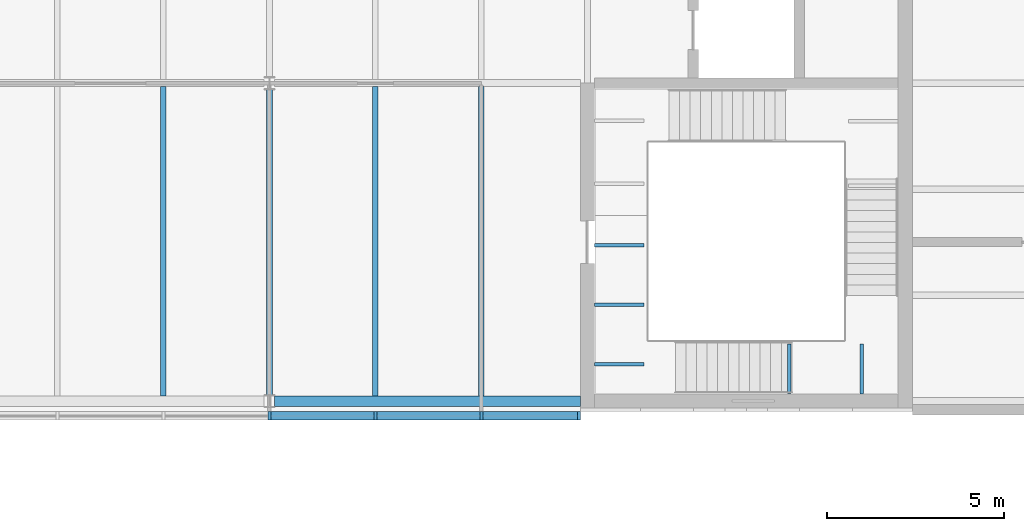
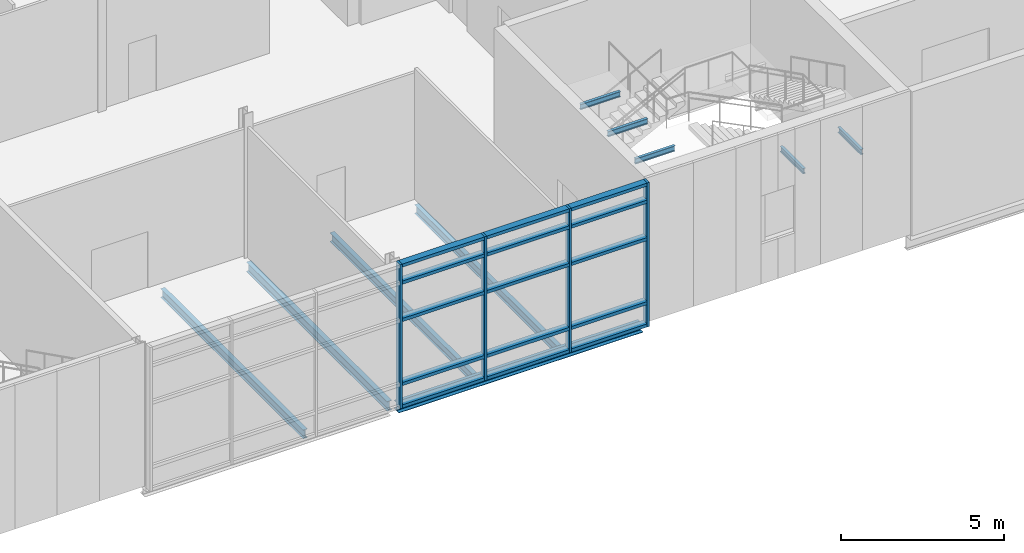
# One storey, part 14 of 52: 19 members, 10 beams, 1 element without a shape of its own.
"""IFC4 building model written with IfcOpenShell, lengths in metres."""

from ifc_helpers import new_model, si_unit, direction, frame, origin, origin_2d, place, context, subcontext, project, spatial, rectangle, i_section, extrude, material, material_profile, profile_set, type_object, element, aggregate, save


model = new_model("IFC4")

# Units and contexts
model_context = context("Model", 3, precision=1e-05, world=origin(), true_north=direction((0.0, 1.0)))
body_context = subcontext(model_context, "Body", "Model", "MODEL_VIEW")
ifc_project = project(units=[si_unit("LENGTHUNIT", "METRE"), si_unit("AREAUNIT", "SQUARE_METRE"), si_unit("VOLUMEUNIT", "CUBIC_METRE"), si_unit("PLANEANGLEUNIT", "RADIAN"), si_unit("MASSUNIT", "GRAM", prefix="KILO")], contexts=[model_context])

# Site, building, storey
site_placement = place(None, origin())
site = spatial("IfcSite", under=ifc_project, at=site_placement, CompositionType="ELEMENT")
building_placement = place(site_placement, origin())
building = spatial("IfcBuilding", under=site, at=building_placement, Name="Azimuth Sports and Learning Centre", CompositionType="ELEMENT")
storey_placement = place(building_placement, frame((0.0, 0.0, 16.199951171875)))
storey = spatial("IfcBuildingStorey", under=building, at=storey_placement, Name="L03", CompositionType="ELEMENT", Elevation=16.199951171875)

# Beams
ifc_material_1 = material(Name="Steel S355", Category="steel")
ifc_material_profile_1 = material_profile(ifc_material_1, i_section(OverallWidth=0.10009765625, OverallDepth=0.199951171875, WebThickness=0.005615234375, FlangeThickness=0.008544921875, FilletRadius=0.011962890625, at=origin_2d()), Name="IPE 200")
ifc_profile_set_1 = profile_set([ifc_material_profile_1], Name="Steel S355")
beam_type_1 = type_object("IfcBeamType", Name="Beam IPE 200", PredefinedType="BEAM", material=ifc_profile_set_1)
for number, where, z_axis, x_axis, name in (
    (1, (59.715087890625, 90.199951171875, 3.300048828125), (0.0, 1.0, 0.0), (-1.0, 0.0, 0.0), "Landing bracket W1 L03 30"),
    (2, (61.764892578125, 90.199951171875, 3.300048828125), (0.0, 1.0, 0.0), (-1.0, 0.0, 0.0), "Landing bracket W1 L03 31"),
    (3, (54.199951171875, 91.050048828125, 5.10009765625), (1.0, 0.0, 0.0), (0.0, 1.0, 0.0), "Landing bracket W1 L03 32"),
    (4, (54.199951171875, 92.72998046875, 5.10009765625), (1.0, 0.0, 0.0), (0.0, 1.0, 0.0), "Landing bracket W1 L03 33"),
    (5, (54.199951171875, 94.409912109375, 5.10009765625), (1.0, 0.0, 0.0), (0.0, 1.0, 0.0), "Landing bracket W1 L03 34"),
):
    element("IfcBeam", number, at=place(storey_placement, frame(where, z_axis=z_axis, x_axis=x_axis)), inside=storey, type_object=beam_type_1, Name=name, PredefinedType="BEAM", context=body_context, shape_type="SweptSolid", body=[
        extrude(i_section(OverallWidth=0.10009765625, OverallDepth=0.199951171875, WebThickness=0.005615234375, FlangeThickness=0.008544921875, FilletRadius=0.011962890625, at=origin_2d()), origin(), (0.0, 0.0, 1.0), 1.41015625),
    ])
ifc_material_2 = material(Name="Steel S355", Category="steel")
ifc_material_profile_2 = material_profile(ifc_material_2, i_section(OverallWidth=0.169921875, OverallDepth=0.360107421875, WebThickness=0.008056640625, FlangeThickness=0.0126953125, FilletRadius=0.01806640625, at=origin_2d()), Name="IPE 360")
ifc_profile_set_2 = profile_set([ifc_material_profile_2], Name="Steel S355")
beam_type_2 = type_object("IfcBeamType", Name="Beam IPE 360", PredefinedType="BEAM", material=ifc_profile_set_2)
beam_1_placement = place(storey_placement, frame((45.0, 90.179931640625, -0.329833984375), z_axis=(0.0, 1.0, 0.0), x_axis=(-1.0, 0.0, 0.0)))
element("IfcBeam", 6, at=beam_1_placement, inside=storey, type_object=beam_type_2, Name="Beam L03 WW 23", PredefinedType="BEAM", context=body_context, shape_type="SweptSolid", body=[
    extrude(i_section(OverallWidth=0.169921875, OverallDepth=0.360107421875, WebThickness=0.008056640625, FlangeThickness=0.0126953125, FilletRadius=0.01806640625, at=origin_2d()), origin(), (0.0, 0.0, 1.0), 8.64013671875),
])
ifc_material_3 = material(Name="Steel S355", Category="steel")
ifc_material_profile_3 = material_profile(ifc_material_3, i_section(OverallWidth=0.300048828125, OverallDepth=0.31005859375, WebThickness=0.009033203125, FlangeThickness=0.015380859375, FilletRadius=0.027099609375, at=origin_2d()), Name="HEA 320")
ifc_profile_set_3 = profile_set([ifc_material_profile_3], Name="Steel S355")
beam_type_3 = type_object("IfcBeamType", Name="Edge beam HEA 320", PredefinedType="SPANDREL", material=ifc_profile_set_3)
beam_2_placement = place(storey_placement, frame((45.14990234375, 90.0, -0.304931640625), z_axis=(1.0, 0.0, 0.0), x_axis=(0.0, 1.0, 0.0)))
element("IfcBeam", 7, at=beam_2_placement, inside=storey, type_object=beam_type_3, Name="Edge beam L03 WW 4", PredefinedType="SPANDREL", context=body_context, shape_type="SweptSolid", body=[
    extrude(i_section(OverallWidth=0.300048828125, OverallDepth=0.31005859375, WebThickness=0.009033203125, FlangeThickness=0.015380859375, FilletRadius=0.027099609375, at=origin_2d()), origin(), (0.0, 0.0, 1.0), 8.650146484375),
])
ifc_material_4 = material(Name="Steel S355", Category="steel")
ifc_material_profile_4 = material_profile(ifc_material_4, i_section(OverallWidth=0.159912109375, OverallDepth=0.330078125, WebThickness=0.007568359375, FlangeThickness=0.011474609375, FilletRadius=0.01806640625, at=origin_2d()), Name="IPE 330")
ifc_profile_set_4 = profile_set([ifc_material_profile_4], Name="Steel S355")
beam_type_4 = type_object("IfcBeamType", Name="Joist IPE 330", PredefinedType="JOIST", material=ifc_profile_set_4)
for number, where, z_axis, x_axis, name in (
    (8, (42.0, 90.14990234375, -0.31494140625), (0.0, 1.0, 0.0), (-1.0, 0.0, 0.0), "Joist L03 WW 45"),
    (9, (48.0, 90.14990234375, -0.31494140625), (0.0, 1.0, 0.0), (-1.0, 0.0, 0.0), "Joist L03 WW 48"),
    (10, (51.0, 90.14990234375, -0.31494140625), (0.0, 1.0, 0.0), (-1.0, 0.0, 0.0), "Joist L03 WW 51"),
):
    element("IfcBeam", number, at=place(storey_placement, frame(where, z_axis=z_axis, x_axis=x_axis)), inside=storey, type_object=beam_type_4, Name=name, PredefinedType="JOIST", context=body_context, shape_type="SweptSolid", body=[
        extrude(i_section(OverallWidth=0.159912109375, OverallDepth=0.330078125, WebThickness=0.007568359375, FlangeThickness=0.011474609375, FilletRadius=0.01806640625, at=origin_2d()), origin(), (0.0, 0.0, 1.0), 8.75),
    ])

# Curtain wall, members
ifc_material_5 = material(Name="Aluminium and glass", Category="aluminium")
curtain_wall_type = type_object("IfcCurtainWallType", Name="Curtain wall podium wing 240", PredefinedType="NOTDEFINED", material=ifc_material_5)
curtain_wall_placement = place(storey_placement, origin())
curtain_wall = element("IfcCurtainWall", 11, at=curtain_wall_placement, inside=storey, type_object=curtain_wall_type, Name="Curtain wall CW03-002", PredefinedType="NOTDEFINED")
ifc_material_6 = material(Name="Aluminium", Category="aluminium")
ifc_material_profile_5 = material_profile(ifc_material_6, rectangle(XDim=0.239990234375, YDim=0.080078125, at=origin_2d()), Name="Mullion 80x240")
ifc_profile_set_5 = profile_set([ifc_material_profile_5], Name="Aluminium")
member_type_1 = type_object("IfcMemberType", Name="Mullion 80x240", PredefinedType="MULLION", material=ifc_profile_set_5)
member_1_placement = place(storey_placement, frame((45.0, 89.580078125, 0.0), z_axis=(0.0, 0.0, 1.0), x_axis=(0.0, 1.0, 0.0)))
member_1 = element("IfcMember", 12, at=member_1_placement, type_object=member_type_1, Name="CW03-002 mullion 4", PredefinedType="MULLION", context=body_context, shape_type="SweptSolid", body=[
    extrude(rectangle(XDim=0.239990234375, YDim=0.080078125, at=origin_2d()), origin(), (0.0, 0.0, 1.0), 5.400146484375),
])
member_2_placement = place(storey_placement, frame((48.0, 89.580078125, 0.0), z_axis=(0.0, 0.0, 1.0), x_axis=(0.0, 1.0, 0.0)))
member_2 = element("IfcMember", 13, at=member_2_placement, type_object=member_type_1, Name="CW03-002 mullion 5", PredefinedType="MULLION", context=body_context, shape_type="SweptSolid", body=[
    extrude(rectangle(XDim=0.239990234375, YDim=0.080078125, at=origin_2d()), origin(), (0.0, 0.0, 1.0), 5.400146484375),
])
member_3_placement = place(storey_placement, frame((51.0, 89.580078125, 0.0), z_axis=(0.0, 0.0, 1.0), x_axis=(0.0, 1.0, 0.0)))
member_3 = element("IfcMember", 14, at=member_3_placement, type_object=member_type_1, Name="CW03-002 mullion 6", PredefinedType="MULLION", context=body_context, shape_type="SweptSolid", body=[
    extrude(rectangle(XDim=0.239990234375, YDim=0.080078125, at=origin_2d()), origin(), (0.0, 0.0, 1.0), 5.400146484375),
])
member_4_placement = place(storey_placement, frame((53.760009765625, 89.580078125, 0.0), z_axis=(0.0, 0.0, 1.0), x_axis=(0.0, 1.0, 0.0)))
member_4 = element("IfcMember", 15, at=member_4_placement, type_object=member_type_1, Name="CW03-002 mullion 7", PredefinedType="MULLION", context=body_context, shape_type="SweptSolid", body=[
    extrude(rectangle(XDim=0.239990234375, YDim=0.080078125, at=origin_2d()), origin(), (0.0, 0.0, 1.0), 5.400146484375),
])
ifc_material_7 = material(Name="Aluminium", Category="aluminium")
ifc_material_profile_6 = material_profile(ifc_material_7, rectangle(XDim=0.239990234375, YDim=0.1201171875, at=origin_2d()), Name="Transom 120x240")
ifc_profile_set_6 = profile_set([ifc_material_profile_6], Name="Aluminium")
member_type_2 = type_object("IfcMemberType", Name="Transom 120x240", PredefinedType="USERDEFINED", material=ifc_profile_set_6)
member_5_placement = place(storey_placement, frame((45.0400390625, 89.580078125, 0.06005859375), z_axis=(1.0, 0.0, 0.0), x_axis=(0.0, 1.0, 0.0)))
member_5 = element("IfcMember", 16, at=member_5_placement, type_object=member_type_2, Name="CW03-002 transom 4.1", ObjectType="TRANSOM", PredefinedType="USERDEFINED", context=body_context, shape_type="SweptSolid", body=[
    extrude(rectangle(XDim=0.239990234375, YDim=0.1201171875, at=origin_2d()), origin(), (0.0, 0.0, 1.0), 2.919921875),
])
member_6_placement = place(storey_placement, frame((45.0400390625, 89.580078125, 0.900146484375), z_axis=(1.0, 0.0, 0.0), x_axis=(0.0, 1.0, 0.0)))
member_6 = element("IfcMember", 17, at=member_6_placement, type_object=member_type_2, Name="CW03-002 transom 4.2", ObjectType="TRANSOM", PredefinedType="USERDEFINED", context=body_context, shape_type="SweptSolid", body=[
    extrude(rectangle(XDim=0.239990234375, YDim=0.1201171875, at=origin_2d()), origin(), (0.0, 0.0, 1.0), 2.919921875),
])
member_7_placement = place(storey_placement, frame((45.0400390625, 89.580078125, 3.300048828125), z_axis=(1.0, 0.0, 0.0), x_axis=(0.0, 1.0, 0.0)))
member_7 = element("IfcMember", 18, at=member_7_placement, type_object=member_type_2, Name="CW03-002 transom 4.3", ObjectType="TRANSOM", PredefinedType="USERDEFINED", context=body_context, shape_type="SweptSolid", body=[
    extrude(rectangle(XDim=0.239990234375, YDim=0.1201171875, at=origin_2d()), origin(), (0.0, 0.0, 1.0), 2.919921875),
])
member_8_placement = place(storey_placement, frame((45.0400390625, 89.580078125, 4.699951171875), z_axis=(1.0, 0.0, 0.0), x_axis=(0.0, 1.0, 0.0)))
member_8 = element("IfcMember", 19, at=member_8_placement, type_object=member_type_2, Name="CW03-002 transom 4.4", ObjectType="TRANSOM", PredefinedType="USERDEFINED", context=body_context, shape_type="SweptSolid", body=[
    extrude(rectangle(XDim=0.239990234375, YDim=0.1201171875, at=origin_2d()), origin(), (0.0, 0.0, 1.0), 2.919921875),
])
member_9_placement = place(storey_placement, frame((45.0400390625, 89.580078125, 5.340087890625), z_axis=(1.0, 0.0, 0.0), x_axis=(0.0, 1.0, 0.0)))
member_9 = element("IfcMember", 20, at=member_9_placement, type_object=member_type_2, Name="CW03-002 transom 4.5", ObjectType="TRANSOM", PredefinedType="USERDEFINED", context=body_context, shape_type="SweptSolid", body=[
    extrude(rectangle(XDim=0.239990234375, YDim=0.1201171875, at=origin_2d()), origin(), (0.0, 0.0, 1.0), 2.919921875),
])
member_10_placement = place(storey_placement, frame((48.0400390625, 89.580078125, 0.06005859375), z_axis=(1.0, 0.0, 0.0), x_axis=(0.0, 1.0, 0.0)))
member_10 = element("IfcMember", 21, at=member_10_placement, type_object=member_type_2, Name="CW03-002 transom 5.1", ObjectType="TRANSOM", PredefinedType="USERDEFINED", context=body_context, shape_type="SweptSolid", body=[
    extrude(rectangle(XDim=0.239990234375, YDim=0.1201171875, at=origin_2d()), origin(), (0.0, 0.0, 1.0), 2.919921875),
])
member_11_placement = place(storey_placement, frame((48.0400390625, 89.580078125, 0.900146484375), z_axis=(1.0, 0.0, 0.0), x_axis=(0.0, 1.0, 0.0)))
member_11 = element("IfcMember", 22, at=member_11_placement, type_object=member_type_2, Name="CW03-002 transom 5.2", ObjectType="TRANSOM", PredefinedType="USERDEFINED", context=body_context, shape_type="SweptSolid", body=[
    extrude(rectangle(XDim=0.239990234375, YDim=0.1201171875, at=origin_2d()), origin(), (0.0, 0.0, 1.0), 2.919921875),
])
member_12_placement = place(storey_placement, frame((48.0400390625, 89.580078125, 3.300048828125), z_axis=(1.0, 0.0, 0.0), x_axis=(0.0, 1.0, 0.0)))
member_12 = element("IfcMember", 23, at=member_12_placement, type_object=member_type_2, Name="CW03-002 transom 5.3", ObjectType="TRANSOM", PredefinedType="USERDEFINED", context=body_context, shape_type="SweptSolid", body=[
    extrude(rectangle(XDim=0.239990234375, YDim=0.1201171875, at=origin_2d()), origin(), (0.0, 0.0, 1.0), 2.919921875),
])
member_13_placement = place(storey_placement, frame((48.0400390625, 89.580078125, 4.699951171875), z_axis=(1.0, 0.0, 0.0), x_axis=(0.0, 1.0, 0.0)))
member_13 = element("IfcMember", 24, at=member_13_placement, type_object=member_type_2, Name="CW03-002 transom 5.4", ObjectType="TRANSOM", PredefinedType="USERDEFINED", context=body_context, shape_type="SweptSolid", body=[
    extrude(rectangle(XDim=0.239990234375, YDim=0.1201171875, at=origin_2d()), origin(), (0.0, 0.0, 1.0), 2.919921875),
])
member_14_placement = place(storey_placement, frame((48.0400390625, 89.580078125, 5.340087890625), z_axis=(1.0, 0.0, 0.0), x_axis=(0.0, 1.0, 0.0)))
member_14 = element("IfcMember", 25, at=member_14_placement, type_object=member_type_2, Name="CW03-002 transom 5.5", ObjectType="TRANSOM", PredefinedType="USERDEFINED", context=body_context, shape_type="SweptSolid", body=[
    extrude(rectangle(XDim=0.239990234375, YDim=0.1201171875, at=origin_2d()), origin(), (0.0, 0.0, 1.0), 2.919921875),
])
member_15_placement = place(storey_placement, frame((51.0400390625, 89.580078125, 0.06005859375), z_axis=(1.0, 0.0, 0.0), x_axis=(0.0, 1.0, 0.0)))
member_15 = element("IfcMember", 26, at=member_15_placement, type_object=member_type_2, Name="CW03-002 transom 6.1", ObjectType="TRANSOM", PredefinedType="USERDEFINED", context=body_context, shape_type="SweptSolid", body=[
    extrude(rectangle(XDim=0.239990234375, YDim=0.1201171875, at=origin_2d()), origin(), (0.0, 0.0, 1.0), 2.679931640625),
])
member_16_placement = place(storey_placement, frame((51.0400390625, 89.580078125, 0.900146484375), z_axis=(1.0, 0.0, 0.0), x_axis=(0.0, 1.0, 0.0)))
member_16 = element("IfcMember", 27, at=member_16_placement, type_object=member_type_2, Name="CW03-002 transom 6.2", ObjectType="TRANSOM", PredefinedType="USERDEFINED", context=body_context, shape_type="SweptSolid", body=[
    extrude(rectangle(XDim=0.239990234375, YDim=0.1201171875, at=origin_2d()), origin(), (0.0, 0.0, 1.0), 2.679931640625),
])
member_17_placement = place(storey_placement, frame((51.0400390625, 89.580078125, 3.300048828125), z_axis=(1.0, 0.0, 0.0), x_axis=(0.0, 1.0, 0.0)))
member_17 = element("IfcMember", 28, at=member_17_placement, type_object=member_type_2, Name="CW03-002 transom 6.3", ObjectType="TRANSOM", PredefinedType="USERDEFINED", context=body_context, shape_type="SweptSolid", body=[
    extrude(rectangle(XDim=0.239990234375, YDim=0.1201171875, at=origin_2d()), origin(), (0.0, 0.0, 1.0), 2.679931640625),
])
member_18_placement = place(storey_placement, frame((51.0400390625, 89.580078125, 4.699951171875), z_axis=(1.0, 0.0, 0.0), x_axis=(0.0, 1.0, 0.0)))
member_18 = element("IfcMember", 29, at=member_18_placement, type_object=member_type_2, Name="CW03-002 transom 6.4", ObjectType="TRANSOM", PredefinedType="USERDEFINED", context=body_context, shape_type="SweptSolid", body=[
    extrude(rectangle(XDim=0.239990234375, YDim=0.1201171875, at=origin_2d()), origin(), (0.0, 0.0, 1.0), 2.679931640625),
])
member_19_placement = place(storey_placement, frame((51.0400390625, 89.580078125, 5.340087890625), z_axis=(1.0, 0.0, 0.0), x_axis=(0.0, 1.0, 0.0)))
member_19 = element("IfcMember", 30, at=member_19_placement, type_object=member_type_2, Name="CW03-002 transom 6.5", ObjectType="TRANSOM", PredefinedType="USERDEFINED", context=body_context, shape_type="SweptSolid", body=[
    extrude(rectangle(XDim=0.239990234375, YDim=0.1201171875, at=origin_2d()), origin(), (0.0, 0.0, 1.0), 2.679931640625),
])
aggregate(curtain_wall, [member_1, member_2, member_3, member_4, member_5, member_6, member_7, member_8, member_9, member_10, member_11, member_12, member_13, member_14, member_15, member_16, member_17, member_18, member_19])

save(model, "model.ifc")
